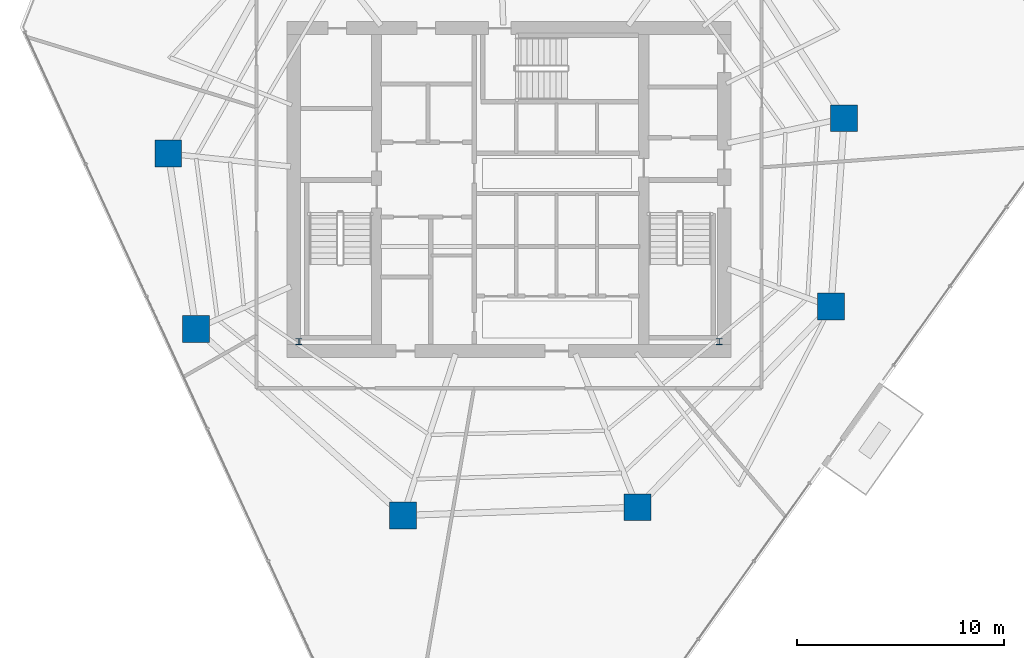
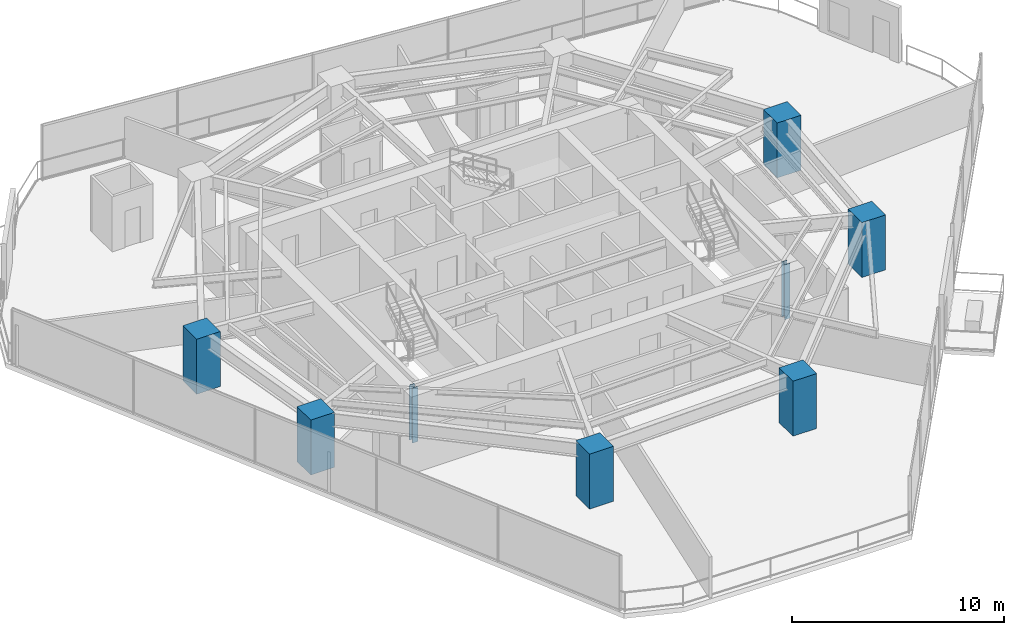
# One storey, part 1 of 30: 8 columns.
"""IFC4 building model written with IfcOpenShell, lengths in metres."""

from ifc_helpers import new_model, si_unit, direction, frame, origin, origin_2d, place, context, subcontext, project, spatial, rectangle, i_section, extrude, material, material_profile, profile_set, type_object, element, save


model = new_model("IFC4")

# Units and contexts
model_context = context("Model", 3, precision=1e-05, world=origin(), true_north=direction((0.0, 1.0)))
body_context = subcontext(model_context, "Body", "Model", "MODEL_VIEW")
ifc_project = project(units=[si_unit("LENGTHUNIT", "METRE"), si_unit("AREAUNIT", "SQUARE_METRE"), si_unit("VOLUMEUNIT", "CUBIC_METRE"), si_unit("PLANEANGLEUNIT", "RADIAN"), si_unit("MASSUNIT", "GRAM", prefix="KILO")], contexts=[model_context])

# Site, building, storey
site_placement = place(None, origin())
site = spatial("IfcSite", under=ifc_project, at=site_placement, CompositionType="ELEMENT")
building_placement = place(site_placement, origin())
building = spatial("IfcBuilding", under=site, at=building_placement, Name="Qarnah Convention Tower", CompositionType="ELEMENT")
storey_placement = place(building_placement, frame((0.0, 0.0, 47.699951171875)))
storey = spatial("IfcBuildingStorey", under=building, at=storey_placement, Name="L11", CompositionType="ELEMENT", Elevation=47.699951171875)

# Columns
ifc_material_1 = material(Name="Concrete C60/75", Category="concrete")
ifc_material_profile_1 = material_profile(ifc_material_1, rectangle(XDim=1.300048828125, YDim=1.300048828125, at=origin_2d()), Name="RC-COL-1300X1300")
ifc_profile_set_1 = profile_set([ifc_material_profile_1], Name="Concrete C60/75")
column_type_1 = type_object("IfcColumnType", Name="COL-Z1-1300", PredefinedType="COLUMN", material=ifc_profile_set_1)
for number, where, z_axis, x_axis, name in (
    (1, (53.387939453125, 29.841064453125, 0.0), (0.0, 0.0, 1.0), (1.0, 0.0, 0.0), "L11 plumb column PC-Z1-01"),
    (2, (20.740966796875, 28.1298828125, 0.0), (0.0, 0.0, 1.0), (1.0, 0.0, 0.0), "L11 plumb column PC-Z1-05"),
    (3, (22.0810546875, 19.6689453125, 0.0), (0.0, 0.0, 1.0), (1.0, 0.0, 0.0), "L11 plumb column PC-Z1-06"),
    (4, (32.0859375, 10.659912109375, 0.0), (0.0, 0.0, 1.0), (1.0, 0.0, 0.0), "L11 plumb column PC-Z1-07"),
    (5, (43.39990234375, 11.054931640625, 0.0), (0.0, 0.0, 1.0), (1.0, 0.0, 0.0), "L11 plumb column PC-Z1-08"),
    (6, (52.751953125, 20.739990234375, 0.0), (0.0, 0.0, 1.0), (1.0, 0.0, 0.0), "L11 plumb column PC-Z1-09"),
):
    element("IfcColumn", number, at=place(storey_placement, frame(where, z_axis=z_axis, x_axis=x_axis)), inside=storey, type_object=column_type_1, Name=name, PredefinedType="COLUMN", context=body_context, shape_type="SweptSolid", body=[
        extrude(rectangle(XDim=1.300048828125, YDim=1.300048828125, at=origin_2d()), origin(), (0.0, 0.0, 1.0), 3.170166015625),
    ])
ifc_material_2 = material(Name="Structural steel S355JR", Category="steel")
ifc_material_profile_2 = material_profile(ifc_material_2, i_section(OverallWidth=0.300048828125, OverallDepth=0.300048828125, WebThickness=0.010986328125, FlangeThickness=0.01904296875, at=origin_2d()), Name="HEB300")
ifc_profile_set_2 = profile_set([ifc_material_profile_2], Name="Structural steel S355JR")
column_type_2 = type_object("IfcColumnType", Name="PIL-SHF-300", PredefinedType="PILASTER", material=ifc_profile_set_2)
for number, where, z_axis, x_axis, name in (
    (7, (27.050048828125, 19.050048828125, 0.0), (0.0, 0.0, 1.0), (1.0, 0.0, 0.0), "L11 core spine steel pilaster 1"),
    (8, (47.35009765625, 19.050048828125, 0.0), (0.0, 0.0, 1.0), (1.0, 0.0, 0.0), "L11 core spine steel pilaster 2"),
):
    element("IfcColumn", number, at=place(storey_placement, frame(where, z_axis=z_axis, x_axis=x_axis)), inside=storey, type_object=column_type_2, Name=name, PredefinedType="PILASTER", context=body_context, shape_type="SweptSolid", body=[
        extrude(i_section(OverallWidth=0.300048828125, OverallDepth=0.300048828125, WebThickness=0.010986328125, FlangeThickness=0.01904296875, at=origin_2d()), origin(), (0.0, 0.0, 1.0), 3.170166015625),
    ])

save(model, "model.ifc")
